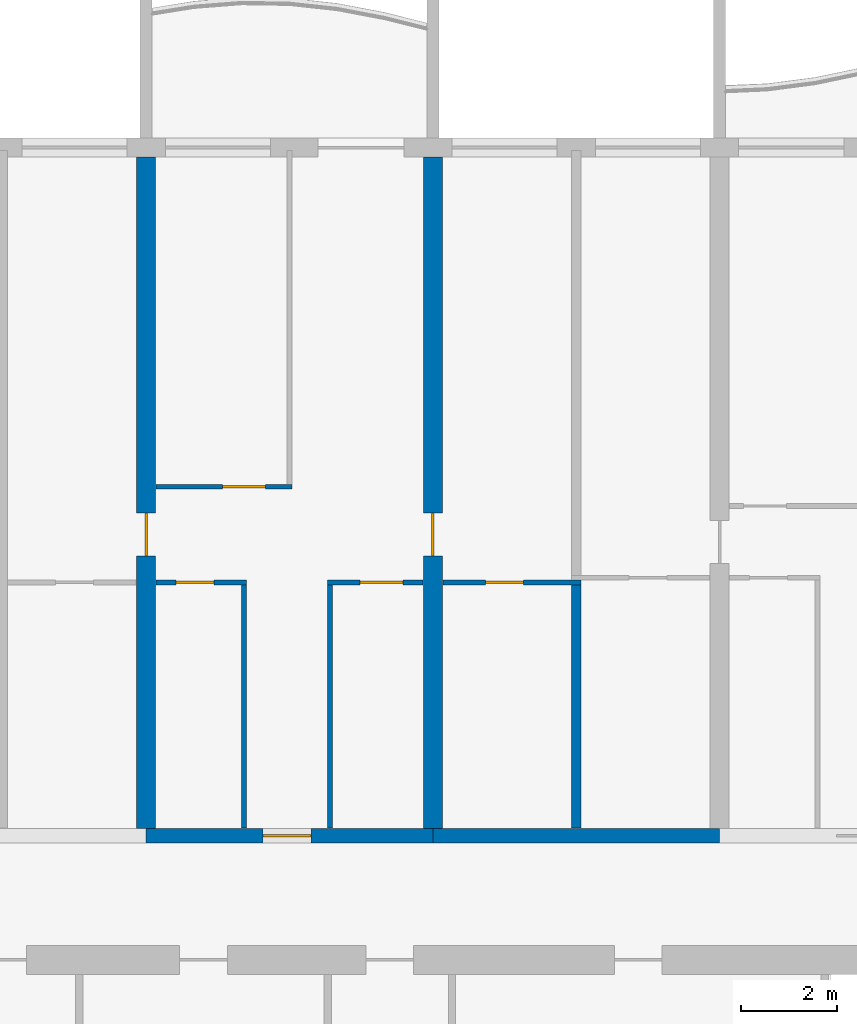
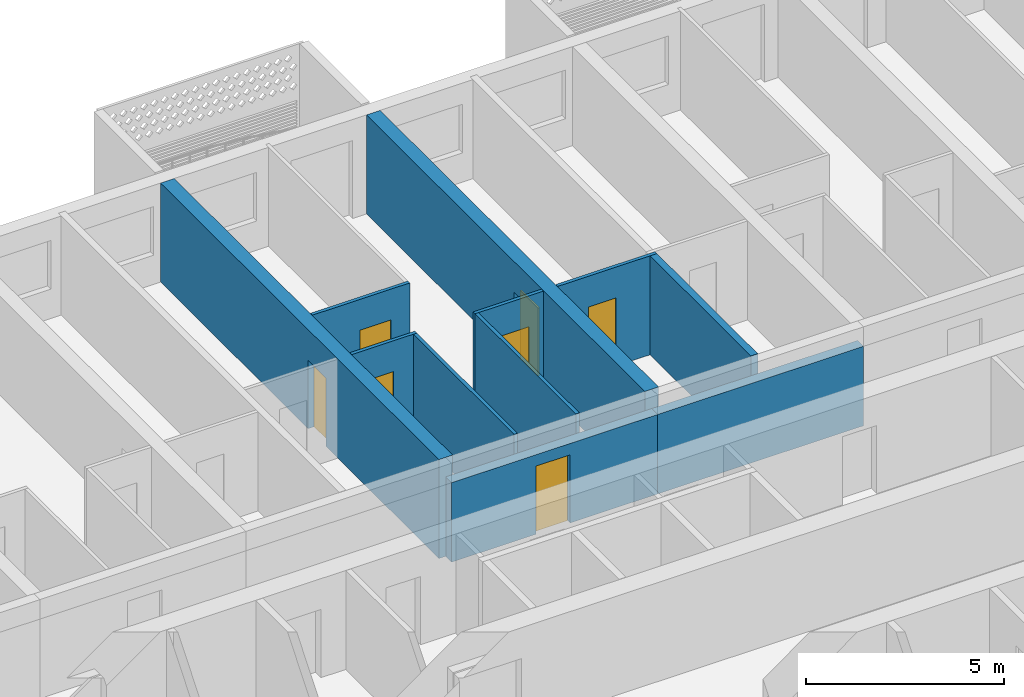
# One storey, part 12 of 38: 11 walls, 7 doors, 7 openings.
"""IFC4 building model written with IfcOpenShell, lengths in metres."""

import ifcopenshell
import ifcopenshell.guid

model = None  # the IFC model being written
_history = None  # IfcOwnerHistory: only IFC2X3 demands one
_inside = {}  # id of a spatial element -> (the spatial element, [elements in it])
_under = {}  # id of a project, library or spatial element -> (it, [spatial elements below it])
_declared = {}  # id of a project -> (the project, [libraries it declares])
_typed = {}  # id of a type object -> (the type object, [elements of that type])
_made_of = {}  # id of a material, layer set ... -> (it, [elements and type objects made of it])


def new_model(schema):
    """Start an empty IFC model of exactly this schema.

    Asked for "IFC4X3", IfcOpenShell would pick the latest addendum, in which some entities
    have other attributes; the version numbers below select the first issue.
    IFC2X3 requires an IfcOwnerHistory on every rooted entity: one is made here for all.
    """
    global model, _history
    if schema == "IFC4X3":
        model = ifcopenshell.file(schema_version=(4, 3, 0, 0))
    else:
        model = ifcopenshell.file(schema=schema)
    _inside.clear()
    _under.clear()
    _declared.clear()
    _typed.clear()
    _made_of.clear()
    _history = None
    if model.schema == "IFC2X3":
        org = make("IfcOrganization", Name="unknown")
        user = make(
            "IfcPersonAndOrganization",
            ThePerson=make("IfcPerson", FamilyName="unknown"),
            TheOrganization=org,
        )
        app = make(
            "IfcApplication",
            ApplicationDeveloper=org,
            Version="unknown",
            ApplicationFullName="unknown",
            ApplicationIdentifier="unknown",
        )
        _history = make(
            "IfcOwnerHistory",
            OwningUser=user,
            OwningApplication=app,
            ChangeAction="ADDED",
            CreationDate=0,
        )
    return model


def make(cls, **values):
    """One entity of the class cls with the attributes given. An attribute that is None is left unset."""
    return model.create_entity(
        cls, **{name: value for name, value in values.items() if value is not None}
    )


def rooted(cls, **values):
    """An entity with a GlobalId (a new one), such as an element, a storey or a relation."""
    return make(cls, GlobalId=ifcopenshell.guid.new(), OwnerHistory=_history, **values)


def si_unit(unit_type, name, prefix=None):
    """IfcSIUnit, for example si_unit("LENGTHUNIT", "METRE", prefix="MILLI")."""
    return make("IfcSIUnit", UnitType=unit_type, Prefix=prefix, Name=name)


def assignment(units):
    """IfcUnitAssignment: the units of a project."""
    return None if units is None else make("IfcUnitAssignment", Units=units)


def point(xyz):
    """IfcCartesianPoint."""
    return None if xyz is None else make("IfcCartesianPoint", Coordinates=xyz)


def direction(xyz):
    """IfcDirection."""
    return None if xyz is None else make("IfcDirection", DirectionRatios=xyz)


def frame(location, z_axis=None, x_axis=None):
    """IfcAxis2Placement3D, a coordinate frame: its origin and axes. An axis left out is left unset."""
    return make(
        "IfcAxis2Placement3D",
        Location=point(location),
        Axis=direction(z_axis),
        RefDirection=direction(x_axis),
    )


def frame_2d(location, x_axis=None):
    """IfcAxis2Placement2D, a coordinate frame in the plane: its origin and x axis."""
    return make(
        "IfcAxis2Placement2D", Location=point(location), RefDirection=direction(x_axis)
    )


def origin():
    """The frame at (0, 0, 0) with its axes left unset."""
    return frame((0.0, 0.0, 0.0))


def place(relative_to, where):
    """IfcLocalPlacement: puts the frame where relative to a parent placement (None: the world)."""
    return make(
        "IfcLocalPlacement", PlacementRelTo=relative_to, RelativePlacement=where
    )


def context(
    kind, dimensions, precision=None, world=None, true_north=None, identifier=None
):
    """IfcGeometricRepresentationContext, for example the 3D "Model" context."""
    return make(
        "IfcGeometricRepresentationContext",
        ContextIdentifier=identifier,
        ContextType=kind,
        CoordinateSpaceDimension=dimensions,
        Precision=precision,
        WorldCoordinateSystem=world,
        TrueNorth=true_north,
    )


def subcontext(parent, identifier, kind, view, scale=None):
    """IfcGeometricRepresentationSubContext, for example "Body" below "Model"."""
    return make(
        "IfcGeometricRepresentationSubContext",
        ContextIdentifier=identifier,
        ContextType=kind,
        ParentContext=parent,
        TargetScale=scale,
        TargetView=view,
    )


def project(units=None, contexts=None):
    """IfcProject with its units and contexts."""
    return rooted(
        "IfcProject",
        Name="project",
        RepresentationContexts=contexts,
        UnitsInContext=assignment(units),
    )


def spatial(cls, under=None, at=None, **own):
    """A site, building, storey or space (cls), placed at a placement, below another one or the project."""
    s = rooted(cls, ObjectPlacement=at, **own)
    if under is not None:
        _under.setdefault(under.id(), (under, []))[1].append(s)
    return s


def profile(cls, at=None, kind="AREA", **sizes):
    """A parametric profile (cls). Its sizes go by their IFC names, for example OverallWidth=200.0."""
    return make(cls, ProfileType=kind, Position=at, **sizes)


def rectangle(**sizes):
    """IfcRectangleProfileDef."""
    return profile("IfcRectangleProfileDef", **sizes)


def extrude(swept, where, along, depth):
    """IfcExtrudedAreaSolid: the profile swept, set in the frame where, extruded along a direction by depth."""
    return make(
        "IfcExtrudedAreaSolid",
        SweptArea=swept,
        Position=where,
        ExtrudedDirection=direction(along),
        Depth=depth,
    )


def shape(context_of_items, identifier, shape_type, items):
    """IfcShapeRepresentation: the items that make up one representation, for example the "Body"."""
    return make(
        "IfcShapeRepresentation",
        ContextOfItems=context_of_items,
        RepresentationIdentifier=identifier,
        RepresentationType=shape_type,
        Items=items,
    )


def material(Name=None, Category=None):
    """IfcMaterial."""
    return make("IfcMaterial", Name=Name, Category=Category)


def layer(
    of_material, thickness, ventilated=None, Name=None, Category=None, Priority=None
):
    """IfcMaterialLayer: one layer of a wall or slab, of a material (None: an air gap)."""
    return make(
        "IfcMaterialLayer",
        Material=of_material,
        LayerThickness=thickness,
        IsVentilated=ventilated,
        Name=Name,
        Category=Category,
        Priority=Priority,
    )


def layer_set(layers, Name=None):
    """IfcMaterialLayerSet."""
    return make("IfcMaterialLayerSet", MaterialLayers=layers, LayerSetName=Name)


def made_of(thing, what):
    """Note that an element or type object is made of a material, layer set ...; save() writes the relation."""
    if what is not None:
        _made_of.setdefault(what.id(), (what, []))[1].append(thing)
    return thing


def type_object(cls, material=None, **own):
    """A type object (cls), such as IfcWallType, which elements share."""
    return made_of(rooted(cls, **own), material)


def element(
    cls,
    number,
    at=None,
    inside=None,
    cuts=None,
    type_object=None,
    material=None,
    context=None,
    identifier="Body",
    shape_type=None,
    held_by="IfcProductDefinitionShape",
    body=None,
    shapes=None,
    **own,
):
    """One element of the class cls, such as IfcWall. Its Tag is "e" and its number.

    at: its placement. inside: the storey or other place that contains it. cuts: it is an
    opening in that element (IfcRelVoidsElement). A single representation is given by context,
    identifier, shape_type and body (its items); several are given by shapes. held_by: the class
    of the entity that holds the representations. save() writes the other relations.
    """
    e = rooted(cls, Tag="e%d" % number, ObjectPlacement=at, **own)
    if body is not None:
        shapes = [shape(context, identifier, shape_type, body)]
    if shapes is not None:
        e.Representation = make(held_by, Representations=shapes)
    if inside is not None:
        _inside.setdefault(inside.id(), (inside, []))[1].append(e)
    if cuts is not None:
        rooted(
            "IfcRelVoidsElement", RelatingBuildingElement=cuts, RelatedOpeningElement=e
        )
    if type_object is not None:
        _typed.setdefault(type_object.id(), (type_object, []))[1].append(e)
    return made_of(e, material)


def fill(opening, filler):
    """IfcRelFillsElement: the door or window that sits in an opening."""
    return rooted(
        "IfcRelFillsElement",
        RelatingOpeningElement=opening,
        RelatedBuildingElement=filler,
    )


def aggregate(whole, parts):
    """IfcRelAggregates: a whole, such as a stair, and the parts it consists of."""
    return rooted("IfcRelAggregates", RelatingObject=whole, RelatedObjects=parts)


def save(model, path):
    """Write the relations noted so far, then the file.

    IfcRelAggregates (storeys below a building ...), IfcRelContainedInSpatialStructure (elements
    in a storey), IfcRelDefinesByType, IfcRelAssociatesMaterial and IfcRelDeclares: one each for
    every whole, place, type object, material and project.
    """
    for whole, parts in _under.values():
        aggregate(whole, parts)
    for where, things in _inside.values():
        rooted(
            "IfcRelContainedInSpatialStructure",
            RelatedElements=things,
            RelatingStructure=where,
        )
    for kind, things in _typed.values():
        rooted("IfcRelDefinesByType", RelatedObjects=things, RelatingType=kind)
    for what, things in _made_of.values():
        rooted("IfcRelAssociatesMaterial", RelatedObjects=things, RelatingMaterial=what)
    for by, libraries in _declared.values():
        rooted("IfcRelDeclares", RelatingContext=by, RelatedDefinitions=libraries)
    model.write(path)


model = new_model("IFC4")

# Units and contexts
model_context = context("Model", 3, precision=1e-05, world=origin(), true_north=direction((0.0, 1.0)))
body_context = subcontext(model_context, "Body", "Model", "MODEL_VIEW")
ifc_project = project(units=[si_unit("LENGTHUNIT", "METRE"), si_unit("AREAUNIT", "SQUARE_METRE"), si_unit("VOLUMEUNIT", "CUBIC_METRE"), si_unit("PLANEANGLEUNIT", "RADIAN"), si_unit("MASSUNIT", "GRAM", prefix="KILO")], contexts=[model_context])

# Site, building, storey
site_placement = place(None, origin())
site = spatial("IfcSite", under=ifc_project, at=site_placement, CompositionType="ELEMENT")
building_placement = place(site_placement, origin())
building = spatial("IfcBuilding", under=site, at=building_placement, Name="Poui Terraces", CompositionType="ELEMENT")
storey_placement = place(building_placement, frame((0.0, 0.0, 46.5)))
storey = spatial("IfcBuildingStorey", under=building, at=storey_placement, Name="L12", CompositionType="ELEMENT", Elevation=46.5)

# Wall, opening, door
ifc_material_1 = material(Name="Concrete 80 MPa", Category="concrete")
ifc_layer_1 = layer(ifc_material_1, 0.300048828125)
ifc_layer_set_1 = layer_set([ifc_layer_1], Name="Concrete 80 MPa")
wall_type_1 = type_object("IfcWallType", Name="CORRIDOR WALL 300 80MPa", PredefinedType="SHEAR", material=ifc_layer_set_1)
wall_1_placement = place(storey_placement, frame((54.0, 30.39990234375, 0.0), z_axis=(0.0, 0.0, 1.0), x_axis=(1.0, 0.0, 0.0)))
wall_1 = element("IfcWall", 1, at=wall_1_placement, inside=storey, type_object=wall_type_1, Name="CORRIDOR WALL LINE E BAY 10", PredefinedType="SHEAR", context=body_context, shape_type="SweptSolid", body=[
    extrude(rectangle(XDim=6.0, YDim=0.300048828125, at=frame_2d((3.0, 0.0))), origin(), (0.0, 0.0, 1.0), 2.449951171875),
])
opening_1_placement = place(wall_1_placement, frame((2.449951171875, 0.0, 0.0)))
opening_1 = element("IfcOpeningElement", 2, at=opening_1_placement, cuts=wall_1, Name="Opening FD30S", PredefinedType="OPENING", context=body_context, shape_type="SweptSolid", body=[
    extrude(rectangle(XDim=1.0, YDim=2.10009765625, at=frame_2d((0.5, 1.050048828125))), frame((0.0, 0.16015625, 0.0), z_axis=(0.0, -1.0, 0.0), x_axis=(1.0, 0.0, 0.0)), (0.0, 0.0, 1.0), 0.320068359375),
])
ifc_material_2 = material(Name="Steel fire door", Category="steel")
door_type_1 = type_object("IfcDoorType", Name="FLAT ENTRANCE DOOR 1000 X 2100", OperationType="NOTDEFINED", PredefinedType="DOOR", material=ifc_material_2)
door_1_placement = place(opening_1_placement, origin())
door_1 = element("IfcDoor", 3, at=door_1_placement, inside=storey, type_object=door_type_1, Name="FLAT ENTRANCE DOOR 066", OperationType="SINGLE_SWING_LEFT", OverallHeight=2.10009765625, OverallWidth=1.0, PredefinedType="DOOR", context=body_context, shape_type="SweptSolid", body=[
    extrude(rectangle(XDim=1.0, YDim=2.10009765625, at=frame_2d((0.5, 1.050048828125))), frame((0.0, 0.02490234375, 0.0), z_axis=(0.0, -1.0, 0.0), x_axis=(1.0, 0.0, 0.0)), (0.0, 0.0, 1.0), 0.050048828125),
])
fill(opening_1, door_1)

# Wall
wall_2_placement = place(storey_placement, frame((60.0, 30.39990234375, 0.0), z_axis=(0.0, 0.0, 1.0), x_axis=(1.0, 0.0, 0.0)))
element("IfcWall", 4, at=wall_2_placement, inside=storey, type_object=wall_type_1, Name="CORRIDOR WALL LINE E BAY 11", PredefinedType="SHEAR", context=body_context, shape_type="SweptSolid", body=[
    extrude(rectangle(XDim=6.0, YDim=0.300048828125, at=frame_2d((3.0, 0.0))), origin(), (0.0, 0.0, 1.0), 2.449951171875),
])

# Wall, opening, door
ifc_layer_2 = layer(ifc_material_1, 0.39990234375)
ifc_layer_set_2 = layer_set([ifc_layer_2], Name="Concrete 80 MPa")
wall_type_2 = type_object("IfcWallType", Name="CROSS WALL 400 80MPa", PredefinedType="SHEAR", material=ifc_layer_set_2)
wall_3_placement = place(storey_placement, frame((54.0, 30.550048828125, 0.0), z_axis=(0.0, 0.0, 1.0), x_axis=(0.0, 1.0, 0.0)))
wall_3 = element("IfcWall", 5, at=wall_3_placement, inside=storey, type_object=wall_type_2, Name="CROSS WALL LINE 10 NORTH", PredefinedType="SHEAR", context=body_context, shape_type="SweptSolid", body=[
    extrude(rectangle(XDim=14.050048828125, YDim=0.39990234375, at=frame_2d((7.02490234375, 0.0))), origin(), (0.0, 0.0, 1.0), 3.050048828125),
])
opening_2_placement = place(wall_3_placement, frame((5.699951171875, 0.0, 0.0)))
opening_2 = element("IfcOpeningElement", 6, at=opening_2_placement, cuts=wall_3, Name="Opening D90", PredefinedType="OPENING", context=body_context, shape_type="SweptSolid", body=[
    extrude(rectangle(XDim=0.89990234375, YDim=2.10009765625, at=frame_2d((0.449951171875, 1.050048828125))), frame((0.0, 0.2099609375, 0.0), z_axis=(0.0, -1.0, 0.0), x_axis=(1.0, 0.0, 0.0)), (0.0, 0.0, 1.0), 0.419921875),
])
ifc_material_3 = material(Name="Solid core timber door", Category="wood")
door_type_2 = type_object("IfcDoorType", Name="INTERNAL DOOR 900 X 2100", OperationType="NOTDEFINED", PredefinedType="DOOR", material=ifc_material_3)
door_2_placement = place(opening_2_placement, origin())
door_2 = element("IfcDoor", 7, at=door_2_placement, inside=storey, type_object=door_type_2, Name="INTERNAL DOOR 063", OperationType="SINGLE_SWING_LEFT", OverallHeight=2.10009765625, OverallWidth=0.89990234375, PredefinedType="DOOR", context=body_context, shape_type="SweptSolid", body=[
    extrude(rectangle(XDim=0.89990234375, YDim=2.10009765625, at=frame_2d((0.449951171875, 1.050048828125))), frame((0.0, 0.02490234375, 0.0), z_axis=(0.0, -1.0, 0.0), x_axis=(1.0, 0.0, 0.0)), (0.0, 0.0, 1.0), 0.050048828125),
])
fill(opening_2, door_2)

wall_4_placement = place(storey_placement, frame((60.0, 30.550048828125, 0.0), z_axis=(0.0, 0.0, 1.0), x_axis=(0.0, 1.0, 0.0)))
wall_4 = element("IfcWall", 8, at=wall_4_placement, inside=storey, type_object=wall_type_2, Name="CROSS WALL LINE 11 NORTH", PredefinedType="SHEAR", context=body_context, shape_type="SweptSolid", body=[
    extrude(rectangle(XDim=14.050048828125, YDim=0.39990234375, at=frame_2d((7.02490234375, 0.0))), origin(), (0.0, 0.0, 1.0), 3.050048828125),
])
opening_3_placement = place(wall_4_placement, frame((5.699951171875, 0.0, 0.0)))
opening_3 = element("IfcOpeningElement", 9, at=opening_3_placement, cuts=wall_4, Name="Opening D90", PredefinedType="OPENING", context=body_context, shape_type="SweptSolid", body=[
    extrude(rectangle(XDim=0.89990234375, YDim=2.10009765625, at=frame_2d((0.449951171875, 1.050048828125))), frame((0.0, 0.2099609375, 0.0), z_axis=(0.0, -1.0, 0.0), x_axis=(1.0, 0.0, 0.0)), (0.0, 0.0, 1.0), 0.419921875),
])
door_3_placement = place(opening_3_placement, frame((0.89990234375, 0.0, 0.0), z_axis=(0.0, 0.0, 1.0), x_axis=(-1.0, 0.0, 0.0)))
door_3 = element("IfcDoor", 10, at=door_3_placement, inside=storey, type_object=door_type_2, Name="INTERNAL DOOR 068", OperationType="SINGLE_SWING_RIGHT", OverallHeight=2.10009765625, OverallWidth=0.89990234375, PredefinedType="DOOR", context=body_context, shape_type="SweptSolid", body=[
    extrude(rectangle(XDim=0.89990234375, YDim=2.10009765625, at=frame_2d((0.449951171875, 1.050048828125))), frame((0.0, 0.02490234375, 0.0), z_axis=(0.0, -1.0, 0.0), x_axis=(1.0, 0.0, 0.0)), (0.0, 0.0, 1.0), 0.050048828125),
])
fill(opening_3, door_3)

ifc_material_4 = material(Name="Plasterboard partition")
ifc_layer_3 = layer(ifc_material_4, 0.10009765625)
ifc_layer_set_3 = layer_set([ifc_layer_3], Name="Plasterboard partition")
wall_type_3 = type_object("IfcWallType", Name="FLAT PARTITION 100", PredefinedType="PARTITIONING", material=ifc_layer_set_3)
wall_5_placement = place(storey_placement, frame((54.2099609375, 35.699951171875, 0.0), z_axis=(0.0, 0.0, 1.0), x_axis=(1.0, 0.0, 0.0)))
wall_5 = element("IfcWall", 11, at=wall_5_placement, inside=storey, type_object=wall_type_3, Name="FLAT PARTITION 100", PredefinedType="PARTITIONING", context=body_context, shape_type="SweptSolid", body=[
    extrude(rectangle(XDim=1.89013671875, YDim=0.10009765625, at=frame_2d((0.945068359375, 0.0))), origin(), (0.0, 0.0, 1.0), 3.050048828125),
])
opening_4_placement = place(wall_5_placement, frame((0.4150390625, 0.0, 0.0)))
opening_4 = element("IfcOpeningElement", 12, at=opening_4_placement, cuts=wall_5, Name="Opening D80", PredefinedType="OPENING", context=body_context, shape_type="SweptSolid", body=[
    extrude(rectangle(XDim=0.800048828125, YDim=2.10009765625, at=frame_2d((0.39990234375, 1.050048828125))), frame((0.0, 0.06005859375, 0.0), z_axis=(0.0, -1.0, 0.0), x_axis=(1.0, 0.0, 0.0)), (0.0, 0.0, 1.0), 0.1201171875),
])
door_type_3 = type_object("IfcDoorType", Name="BATHROOM, LAUNDRY AND STORE DOOR 800 X 2100", OperationType="NOTDEFINED", PredefinedType="DOOR", material=ifc_material_3)
door_4_placement = place(opening_4_placement, frame((0.800048828125, 0.0, 0.0), z_axis=(0.0, 0.0, 1.0), x_axis=(-1.0, 0.0, 0.0)))
door_4 = element("IfcDoor", 13, at=door_4_placement, inside=storey, type_object=door_type_3, Name="BATHROOM, LAUNDRY AND STORE DOOR 064", OperationType="SINGLE_SWING_LEFT", OverallHeight=2.10009765625, OverallWidth=0.800048828125, PredefinedType="DOOR", context=body_context, shape_type="SweptSolid", body=[
    extrude(rectangle(XDim=0.800048828125, YDim=2.10009765625, at=frame_2d((0.39990234375, 1.050048828125))), frame((0.0, 0.02490234375, 0.0), z_axis=(0.0, -1.0, 0.0), x_axis=(1.0, 0.0, 0.0)), (0.0, 0.0, 1.0), 0.050048828125),
])
fill(opening_4, door_4)

wall_6_placement = place(storey_placement, frame((57.800048828125, 35.699951171875, 0.0), z_axis=(0.0, 0.0, 1.0), x_axis=(1.0, 0.0, 0.0)))
wall_6 = element("IfcWall", 14, at=wall_6_placement, inside=storey, type_object=wall_type_3, Name="FLAT PARTITION 100", PredefinedType="PARTITIONING", context=body_context, shape_type="SweptSolid", body=[
    extrude(rectangle(XDim=1.989990234375, YDim=0.10009765625, at=frame_2d((0.9951171875, 0.0))), origin(), (0.0, 0.0, 1.0), 3.050048828125),
])
opening_5_placement = place(wall_6_placement, frame((0.675048828125, 0.0, 0.0)))
opening_5 = element("IfcOpeningElement", 15, at=opening_5_placement, cuts=wall_6, Name="Opening D90", PredefinedType="OPENING", context=body_context, shape_type="SweptSolid", body=[
    extrude(rectangle(XDim=0.89990234375, YDim=2.10009765625, at=frame_2d((0.449951171875, 1.050048828125))), frame((0.0, 0.06005859375, 0.0), z_axis=(0.0, -1.0, 0.0), x_axis=(1.0, 0.0, 0.0)), (0.0, 0.0, 1.0), 0.1201171875),
])
door_5_placement = place(opening_5_placement, frame((0.89990234375, 0.0, 0.0), z_axis=(0.0, 0.0, 1.0), x_axis=(-1.0, 0.0, 0.0)))
door_5 = element("IfcDoor", 16, at=door_5_placement, inside=storey, type_object=door_type_2, Name="INTERNAL DOOR 067", OperationType="SINGLE_SWING_RIGHT", OverallHeight=2.10009765625, OverallWidth=0.89990234375, PredefinedType="DOOR", context=body_context, shape_type="SweptSolid", body=[
    extrude(rectangle(XDim=0.89990234375, YDim=2.10009765625, at=frame_2d((0.449951171875, 1.050048828125))), frame((0.0, 0.02490234375, 0.0), z_axis=(0.0, -1.0, 0.0), x_axis=(1.0, 0.0, 0.0)), (0.0, 0.0, 1.0), 0.050048828125),
])
fill(opening_5, door_5)

wall_7_placement = place(storey_placement, frame((60.2099609375, 35.699951171875, 0.0), z_axis=(0.0, 0.0, 1.0), x_axis=(1.0, 0.0, 0.0)))
wall_7 = element("IfcWall", 17, at=wall_7_placement, inside=storey, type_object=wall_type_3, Name="FLAT PARTITION 100", PredefinedType="PARTITIONING", context=body_context, shape_type="SweptSolid", body=[
    extrude(rectangle(XDim=2.89013671875, YDim=0.10009765625, at=frame_2d((1.445068359375, 0.0))), origin(), (0.0, 0.0, 1.0), 3.050048828125),
])
opening_6_placement = place(wall_7_placement, frame((0.889892578125, 0.0, 0.0)))
opening_6 = element("IfcOpeningElement", 18, at=opening_6_placement, cuts=wall_7, Name="Opening D80", PredefinedType="OPENING", context=body_context, shape_type="SweptSolid", body=[
    extrude(rectangle(XDim=0.800048828125, YDim=2.10009765625, at=frame_2d((0.39990234375, 1.050048828125))), frame((0.0, 0.06005859375, 0.0), z_axis=(0.0, -1.0, 0.0), x_axis=(1.0, 0.0, 0.0)), (0.0, 0.0, 1.0), 0.1201171875),
])
door_6_placement = place(opening_6_placement, frame((0.800048828125, 0.0, 0.0), z_axis=(0.0, 0.0, 1.0), x_axis=(-1.0, 0.0, 0.0)))
door_6 = element("IfcDoor", 19, at=door_6_placement, inside=storey, type_object=door_type_3, Name="BATHROOM, LAUNDRY AND STORE DOOR 062", OperationType="SINGLE_SWING_LEFT", OverallHeight=2.10009765625, OverallWidth=0.800048828125, PredefinedType="DOOR", context=body_context, shape_type="SweptSolid", body=[
    extrude(rectangle(XDim=0.800048828125, YDim=2.10009765625, at=frame_2d((0.39990234375, 1.050048828125))), frame((0.0, 0.02490234375, 0.0), z_axis=(0.0, -1.0, 0.0), x_axis=(1.0, 0.0, 0.0)), (0.0, 0.0, 1.0), 0.050048828125),
])
fill(opening_6, door_6)

wall_8_placement = place(storey_placement, frame((54.2099609375, 37.699951171875, 0.0), z_axis=(0.0, 0.0, 1.0), x_axis=(1.0, 0.0, 0.0)))
wall_8 = element("IfcWall", 20, at=wall_8_placement, inside=storey, type_object=wall_type_3, Name="FLAT PARTITION 100", PredefinedType="PARTITIONING", context=body_context, shape_type="SweptSolid", body=[
    extrude(rectangle(XDim=2.840087890625, YDim=0.10009765625, at=frame_2d((1.419921875, 0.0))), origin(), (0.0, 0.0, 1.0), 3.050048828125),
])
opening_7_placement = place(wall_8_placement, frame((1.389892578125, 0.0, 0.0)))
opening_7 = element("IfcOpeningElement", 21, at=opening_7_placement, cuts=wall_8, Name="Opening D90", PredefinedType="OPENING", context=body_context, shape_type="SweptSolid", body=[
    extrude(rectangle(XDim=0.89990234375, YDim=2.10009765625, at=frame_2d((0.449951171875, 1.050048828125))), frame((0.0, 0.06005859375, 0.0), z_axis=(0.0, -1.0, 0.0), x_axis=(1.0, 0.0, 0.0)), (0.0, 0.0, 1.0), 0.1201171875),
])
door_7_placement = place(opening_7_placement, frame((0.89990234375, 0.0, 0.0), z_axis=(0.0, 0.0, 1.0), x_axis=(-1.0, 0.0, 0.0)))
door_7 = element("IfcDoor", 22, at=door_7_placement, inside=storey, type_object=door_type_2, Name="INTERNAL DOOR 065", OperationType="SINGLE_SWING_RIGHT", OverallHeight=2.10009765625, OverallWidth=0.89990234375, PredefinedType="DOOR", context=body_context, shape_type="SweptSolid", body=[
    extrude(rectangle(XDim=0.89990234375, YDim=2.10009765625, at=frame_2d((0.449951171875, 1.050048828125))), frame((0.0, 0.02490234375, 0.0), z_axis=(0.0, -1.0, 0.0), x_axis=(1.0, 0.0, 0.0)), (0.0, 0.0, 1.0), 0.050048828125),
])
fill(opening_7, door_7)

# Walls
for number, where, z_axis, x_axis, name in (
    (23, (56.050048828125, 30.56005859375, 0.0), (0.0, 0.0, 1.0), (0.0, 1.0, 0.0), "FLAT PARTITION 100"),
    (24, (57.85009765625, 30.56005859375, 0.0), (0.0, 0.0, 1.0), (0.0, 1.0, 0.0), "FLAT PARTITION 100"),
):
    element("IfcWall", number, at=place(storey_placement, frame(where, z_axis=z_axis, x_axis=x_axis)), inside=storey, type_object=wall_type_3, Name=name, PredefinedType="PARTITIONING", context=body_context, shape_type="SweptSolid", body=[
        extrude(rectangle(XDim=5.08984375, YDim=0.10009765625, at=frame_2d((2.544921875, 0.0))), origin(), (0.0, 0.0, 1.0), 3.050048828125),
    ])
ifc_material_5 = material(Name="Fire-rated masonry wall", Category="masonry")
ifc_layer_4 = layer(ifc_material_5, 0.199951171875)
ifc_layer_set_4 = layer_set([ifc_layer_4], Name="Fire-rated masonry wall")
wall_type_4 = type_object("IfcWallType", Name="FLAT PARTY WALL 200", PredefinedType="PARTITIONING", material=ifc_layer_set_4)
wall_9_placement = place(storey_placement, frame((63.0, 30.56005859375, 0.0), z_axis=(0.0, 0.0, 1.0), x_axis=(0.0, 1.0, 0.0)))
element("IfcWall", 25, at=wall_9_placement, inside=storey, type_object=wall_type_4, Name="FLAT PARTY WALL 200", PredefinedType="PARTITIONING", context=body_context, shape_type="SweptSolid", body=[
    extrude(rectangle(XDim=5.08984375, YDim=0.199951171875, at=frame_2d((2.544921875, 0.0))), origin(), (0.0, 0.0, 1.0), 3.050048828125),
])

save(model, "model.ifc")
